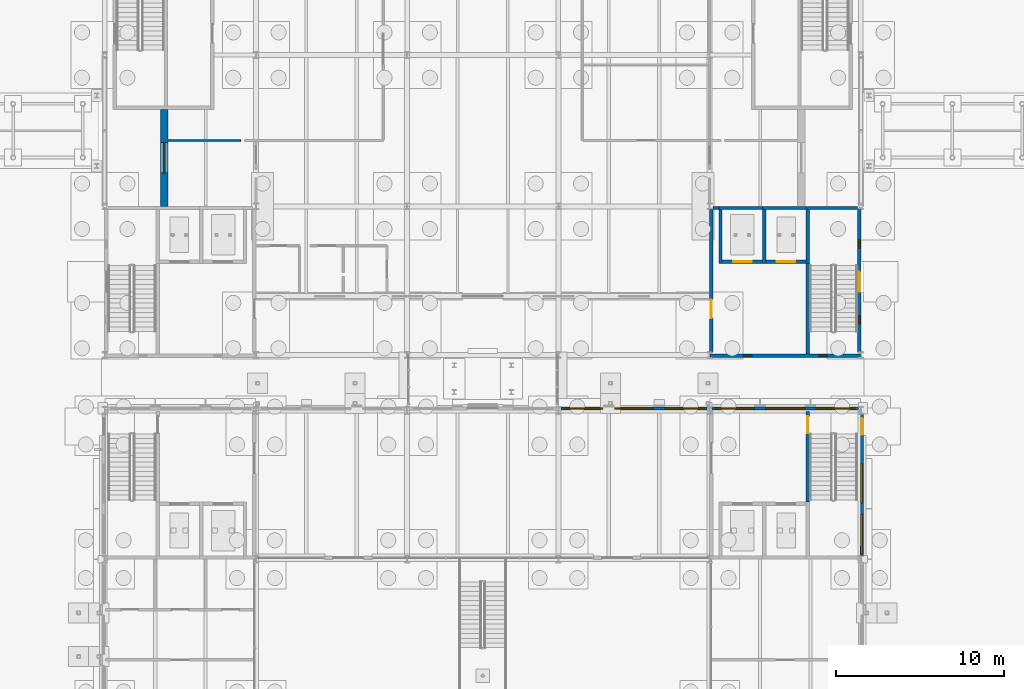
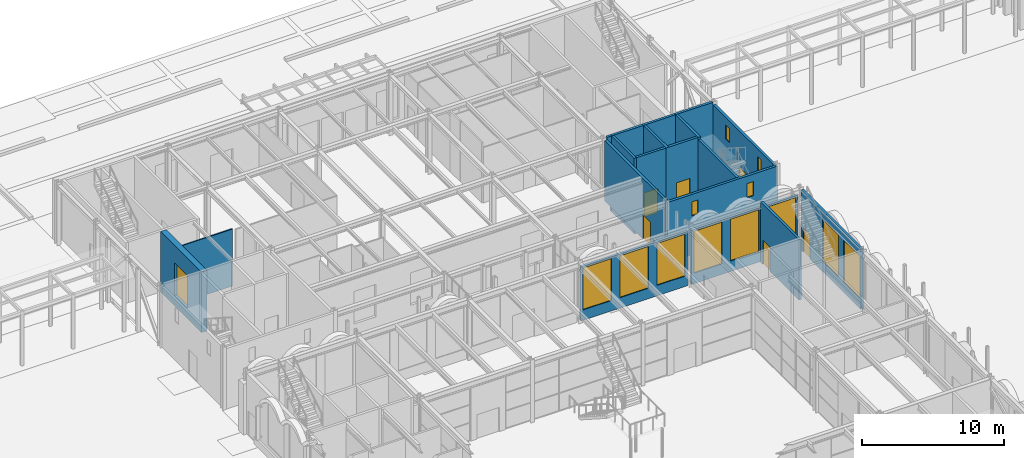
# One storey, part 79 of 126: 19 walls, 13 windows, 6 doors, 19 openings.
"""IFC4 building model written with IfcOpenShell, lengths in metres."""

from ifc_helpers import new_model, si_unit, direction, frame, frame_2d, origin, place, context, subcontext, project, spatial, rectangle, extrude, material, layer, layer_set, type_object, element, fill, save


model = new_model("IFC4")

# Units and contexts
model_context = context("Model", 3, precision=1e-05, world=origin(), true_north=direction((0.0, 1.0)))
body_context = subcontext(model_context, "Body", "Model", "MODEL_VIEW")
ifc_project = project(units=[si_unit("LENGTHUNIT", "METRE"), si_unit("AREAUNIT", "SQUARE_METRE"), si_unit("VOLUMEUNIT", "CUBIC_METRE"), si_unit("PLANEANGLEUNIT", "RADIAN"), si_unit("MASSUNIT", "GRAM", prefix="KILO")], contexts=[model_context])

# Site, building, storey
site_placement = place(None, origin())
site = spatial("IfcSite", under=ifc_project, at=site_placement, CompositionType="ELEMENT")
building_placement = place(site_placement, origin())
building = spatial("IfcBuilding", under=site, at=building_placement, Name="Kallimachos Central Library", CompositionType="ELEMENT")
storey_placement = place(building_placement, origin())
storey = spatial("IfcBuildingStorey", under=building, at=storey_placement, Name="L00", CompositionType="ELEMENT", Elevation=0.0)

# Wall, opening, window
ifc_material_1 = material(Name="Bronze-anodised aluminium louvres on blockwork", Category="masonry")
ifc_layer_1 = layer(ifc_material_1, 0.449951171875)
ifc_layer_set_1 = layer_set([ifc_layer_1], Name="Bronze louvre enclosure wall 450")
wall_type_1 = type_object("IfcWallType", Name="Bronze louvre enclosure wall 450", PredefinedType="SOLIDWALL", material=ifc_layer_set_1)
wall_1_placement = place(storey_placement, frame((69.050048828125, 96.0, 0.0), z_axis=(0.0, 0.0, 1.0), x_axis=(0.0, 1.0, 0.0)))
wall_1 = element("IfcWall", 1, at=wall_1_placement, inside=storey, type_object=wall_type_1, Name="Louvre enclosure wall W L00", PredefinedType="SOLIDWALL", context=body_context, shape_type="SweptSolid", body=[
    extrude(rectangle(XDim=5.77490234375, YDim=0.449951171875, at=frame_2d((2.887451171875, 0.0))), origin(), (0.0, 0.0, 1.0), 5.199951171875),
])
opening_1_placement = place(wall_1_placement, frame((1.987548828125, 0.0, 0.89990234375)))
opening_1 = element("IfcOpeningElement", 2, at=opening_1_placement, cuts=wall_1, Name="Opening W34", PredefinedType="OPENING", context=body_context, shape_type="SweptSolid", body=[
    extrude(rectangle(XDim=1.800048828125, YDim=2.800048828125, at=frame_2d((0.89990234375, 1.39990234375))), frame((0.0, 0.23486328125, 0.0), z_axis=(0.0, -1.0, 0.0), x_axis=(1.0, 0.0, 0.0)), (0.0, 0.0, 1.0), 0.469970703125),
])
ifc_material_2 = material(Name="Laminated glass in bronze-anodised aluminium frame", Category="aluminium")
window_type_1 = type_object("IfcWindowType", Name="Base window 1800x2800", PartitioningType="SINGLE_PANEL", PredefinedType="WINDOW", material=ifc_material_2)
window_1_placement = place(opening_1_placement, origin())
window_1 = element("IfcWindow", 3, at=window_1_placement, inside=storey, type_object=window_type_1, Name="V1-WIN-L00-005", OverallHeight=2.800048828125, OverallWidth=1.800048828125, PartitioningType="SINGLE_PANEL", PredefinedType="WINDOW", context=body_context, shape_type="SweptSolid", body=[
    extrude(rectangle(XDim=1.800048828125, YDim=2.800048828125, at=frame_2d((0.89990234375, 1.39990234375))), frame((0.0, 0.030029296875, 0.0), z_axis=(0.0, -1.0, 0.0), x_axis=(1.0, 0.0, 0.0)), (0.0, 0.0, 1.0), 0.06005859375),
])
fill(opening_1, window_1)

# Wall, opening, door
ifc_material_3 = material(Name="Concrete C30/37", Category="concrete")
ifc_layer_2 = layer(ifc_material_3, 0.199951171875)
ifc_layer_set_2 = layer_set([ifc_layer_2], Name="Core wall 200")
wall_type_2 = type_object("IfcWallType", Name="Core wall 200", PredefinedType="SOLIDWALL", material=ifc_layer_set_2)
wall_2_placement = place(storey_placement, frame((101.60009765625, 87.33837890625, 0.0), z_axis=(0.0, 0.0, 1.0), x_axis=(0.0, 1.0, 0.0)))
wall_2 = element("IfcWall", 4, at=wall_2_placement, inside=storey, type_object=wall_type_2, Name="Core wall V1-SE W", PredefinedType="SOLIDWALL", context=body_context, shape_type="SweptSolid", body=[
    extrude(rectangle(XDim=8.47314453125, YDim=0.199951171875, at=frame_2d((4.236572265625, 0.0))), origin(), (0.0, 0.0, 1.0), 5.199951171875),
])
opening_2_placement = place(wall_2_placement, frame((2.011474609375, 0.0, 0.0)))
opening_2 = element("IfcOpeningElement", 5, at=opening_2_placement, cuts=wall_2, Name="Opening D225", PredefinedType="OPENING", context=body_context, shape_type="SweptSolid", body=[
    extrude(rectangle(XDim=1.10009765625, YDim=2.10009765625, at=frame_2d((0.550048828125, 1.050048828125))), frame((0.0, 0.10986328125, 0.0), z_axis=(0.0, -1.0, 0.0), x_axis=(1.0, 0.0, 0.0)), (0.0, 0.0, 1.0), 0.219970703125),
])
ifc_material_4 = material(Name="Steel fire door", Category="steel")
door_type_1 = type_object("IfcDoorType", Name="Fire door EI2 90 1100 x 2100", OperationType="NOTDEFINED", PredefinedType="DOOR", material=ifc_material_4)
door_1_placement = place(opening_2_placement, frame((1.10009765625, 0.0, 0.0), z_axis=(0.0, 0.0, 1.0), x_axis=(-1.0, 0.0, 0.0)))
door_1 = element("IfcDoor", 6, at=door_1_placement, inside=storey, type_object=door_type_1, Name="V1-DOR-L00-013", OperationType="SINGLE_SWING_LEFT", OverallHeight=2.10009765625, OverallWidth=1.10009765625, PredefinedType="DOOR", context=body_context, shape_type="SweptSolid", body=[
    extrude(rectangle(XDim=1.10009765625, YDim=2.10009765625, at=frame_2d((0.550048828125, 1.050048828125))), frame((0.0, 0.02490234375, 0.0), z_axis=(0.0, -1.0, 0.0), x_axis=(1.0, 0.0, 0.0)), (0.0, 0.0, 1.0), 0.050048828125),
])
fill(opening_2, door_1)

# Walls
wall_3_placement = place(storey_placement, frame((101.699951171875, 95.89990234375, 0.0), z_axis=(0.0, 0.0, 1.0), x_axis=(1.0, 0.0, 0.0)))
element("IfcWall", 7, at=wall_3_placement, inside=storey, type_object=wall_type_2, Name="Core wall V1-SE N", PredefinedType="SOLIDWALL", context=body_context, shape_type="SweptSolid", body=[
    extrude(rectangle(XDim=0.35009765625, YDim=0.199951171875, at=frame_2d((0.175048828125, 0.0))), origin(), (0.0, 0.0, 1.0), 5.39990234375),
])
wall_4_placement = place(storey_placement, frame((107.25, 95.89990234375, 0.0), z_axis=(0.0, 0.0, 1.0), x_axis=(1.0, 0.0, 0.0)))
element("IfcWall", 8, at=wall_4_placement, inside=storey, type_object=wall_type_2, Name="Core wall V1-SE N", PredefinedType="SOLIDWALL", context=body_context, shape_type="SweptSolid", body=[
    extrude(rectangle(XDim=3.050048828125, YDim=0.199951171875, at=frame_2d((1.52490234375, 0.0))), origin(), (0.0, 0.0, 1.0), 5.39990234375),
])
wall_5_placement = place(storey_placement, frame((107.35009765625, 87.199951171875, 0.0), z_axis=(0.0, 0.0, 1.0), x_axis=(0.0, 1.0, 0.0)))
element("IfcWall", 9, at=wall_5_placement, inside=storey, type_object=wall_type_2, Name="Stair wall V1-SE", PredefinedType="SOLIDWALL", context=body_context, shape_type="SweptSolid", body=[
    extrude(rectangle(XDim=5.400146484375, YDim=0.199951171875, at=frame_2d((2.7001953125, 0.0))), origin(), (0.0, 0.0, 1.0), 5.199951171875),
])
ifc_material_5 = material(Name="Concrete C30/37", Category="concrete")
ifc_layer_3 = layer(ifc_material_5, 0.199951171875)
ifc_layer_set_3 = layer_set([ifc_layer_3], Name="Lift shaft wall 200")
wall_type_3 = type_object("IfcWallType", Name="Lift shaft wall 200", PredefinedType="SOLIDWALL", material=ifc_layer_set_3)
wall_6_placement = place(storey_placement, frame((104.64990234375, 95.89990234375, -1.10009765625), z_axis=(0.0, 0.0, 1.0), x_axis=(1.0, 0.0, 0.0)))
element("IfcWall", 10, at=wall_6_placement, inside=storey, type_object=wall_type_3, Name="V1-WAL-L00-008", PredefinedType="SOLIDWALL", context=body_context, shape_type="SweptSolid", body=[
    extrude(rectangle(XDim=2.60009765625, YDim=0.199951171875, at=frame_2d((1.300048828125, 0.0))), origin(), (0.0, 0.0, 1.0), 6.5),
])

# Wall, opening, door
wall_7_placement = place(storey_placement, frame((104.64990234375, 92.699951171875, -1.10009765625), z_axis=(0.0, 0.0, 1.0), x_axis=(1.0, 0.0, 0.0)))
wall_7 = element("IfcWall", 11, at=wall_7_placement, inside=storey, type_object=wall_type_3, Name="V1-WAL-L00-009", PredefinedType="SOLIDWALL", context=body_context, shape_type="SweptSolid", body=[
    extrude(rectangle(XDim=2.60009765625, YDim=0.199951171875, at=frame_2d((1.300048828125, 0.0))), origin(), (0.0, 0.0, 1.0), 6.5),
])
opening_3_placement = place(wall_7_placement, frame((0.85009765625, 0.0, 1.10009765625)))
opening_3 = element("IfcOpeningElement", 12, at=opening_3_placement, cuts=wall_7, Name="Opening LD1100", PredefinedType="OPENING", context=body_context, shape_type="SweptSolid", body=[
    extrude(rectangle(XDim=1.10009765625, YDim=2.10009765625, at=frame_2d((0.550048828125, 1.050048828125))), frame((0.0, 0.10986328125, 0.0), z_axis=(0.0, -1.0, 0.0), x_axis=(1.0, 0.0, 0.0)), (0.0, 0.0, 1.0), 0.219970703125),
])
ifc_material_6 = material(Name="Stainless steel", Category="steel")
door_type_2 = type_object("IfcDoorType", Name="Lift landing door 1100 x 2100", OperationType="SLIDING_TO_LEFT", PredefinedType="DOOR", material=ifc_material_6)
door_2_placement = place(opening_3_placement, origin())
door_2 = element("IfcDoor", 13, at=door_2_placement, inside=storey, type_object=door_type_2, Name="LF3 landing door L00", OperationType="SLIDING_TO_LEFT", OverallHeight=2.10009765625, OverallWidth=1.10009765625, PredefinedType="DOOR", context=body_context, shape_type="SweptSolid", body=[
    extrude(rectangle(XDim=1.10009765625, YDim=2.10009765625, at=frame_2d((0.550048828125, 1.050048828125))), frame((0.0, 0.02490234375, 0.0), z_axis=(0.0, -1.0, 0.0), x_axis=(1.0, 0.0, 0.0)), (0.0, 0.0, 1.0), 0.050048828125),
])
fill(opening_3, door_2)

# Walls
for number, where, z_axis, x_axis, name in (
    (14, (104.75, 92.60009765625, -1.10009765625), (0.0, 0.0, 1.0), (0.0, 1.0, 0.0), "V1-WAL-L00-010"),
    (15, (107.35009765625, 92.60009765625, -1.10009765625), (0.0, 0.0, 1.0), (0.0, 1.0, 0.0), "V1-WAL-L00-011"),
):
    element("IfcWall", number, at=place(storey_placement, frame(where, z_axis=z_axis, x_axis=x_axis)), inside=storey, type_object=wall_type_3, Name=name, PredefinedType="SOLIDWALL", context=body_context, shape_type="SweptSolid", body=[
        extrude(rectangle(XDim=3.39990234375, YDim=0.199951171875, at=frame_2d((1.699951171875, 0.0))), origin(), (0.0, 0.0, 1.0), 6.5),
    ])
wall_8_placement = place(storey_placement, frame((102.050048828125, 95.89990234375, -1.10009765625), z_axis=(0.0, 0.0, 1.0), x_axis=(1.0, 0.0, 0.0)))
element("IfcWall", 16, at=wall_8_placement, inside=storey, type_object=wall_type_3, Name="V1-WAL-L00-012", PredefinedType="SOLIDWALL", context=body_context, shape_type="SweptSolid", body=[
    extrude(rectangle(XDim=2.599853515625, YDim=0.199951171875, at=frame_2d((1.2998046875, 0.0))), origin(), (0.0, 0.0, 1.0), 6.5),
])

# Wall, opening, door
wall_9_placement = place(storey_placement, frame((102.25, 92.699951171875, -1.10009765625), z_axis=(0.0, 0.0, 1.0), x_axis=(1.0, 0.0, 0.0)))
wall_9 = element("IfcWall", 17, at=wall_9_placement, inside=storey, type_object=wall_type_3, Name="V1-WAL-L00-013", PredefinedType="SOLIDWALL", context=body_context, shape_type="SweptSolid", body=[
    extrude(rectangle(XDim=2.39990234375, YDim=0.199951171875, at=frame_2d((1.199951171875, 0.0))), origin(), (0.0, 0.0, 1.0), 6.5),
])
opening_4_placement = place(wall_9_placement, frame((0.64990234375, 0.0, 1.10009765625)))
opening_4 = element("IfcOpeningElement", 18, at=opening_4_placement, cuts=wall_9, Name="Opening LD1100", PredefinedType="OPENING", context=body_context, shape_type="SweptSolid", body=[
    extrude(rectangle(XDim=1.10009765625, YDim=2.10009765625, at=frame_2d((0.550048828125, 1.050048828125))), frame((0.0, 0.10986328125, 0.0), z_axis=(0.0, -1.0, 0.0), x_axis=(1.0, 0.0, 0.0)), (0.0, 0.0, 1.0), 0.219970703125),
])
door_3_placement = place(opening_4_placement, origin())
door_3 = element("IfcDoor", 19, at=door_3_placement, inside=storey, type_object=door_type_2, Name="LF4 landing door L00", OperationType="SLIDING_TO_LEFT", OverallHeight=2.10009765625, OverallWidth=1.10009765625, PredefinedType="DOOR", context=body_context, shape_type="SweptSolid", body=[
    extrude(rectangle(XDim=1.10009765625, YDim=2.10009765625, at=frame_2d((0.550048828125, 1.050048828125))), frame((0.0, 0.02490234375, 0.0), z_axis=(0.0, -1.0, 0.0), x_axis=(1.0, 0.0, 0.0)), (0.0, 0.0, 1.0), 0.050048828125),
])
fill(opening_4, door_3)

# Walls
wall_10_placement = place(storey_placement, frame((102.14990234375, 92.60009765625, -1.10009765625), z_axis=(0.0, 0.0, 1.0), x_axis=(0.0, 1.0, 0.0)))
element("IfcWall", 20, at=wall_10_placement, inside=storey, type_object=wall_type_3, Name="V1-WAL-L00-014", PredefinedType="SOLIDWALL", context=body_context, shape_type="SweptSolid", body=[
    extrude(rectangle(XDim=3.39990234375, YDim=0.199951171875, at=frame_2d((1.699951171875, 0.0))), origin(), (0.0, 0.0, 1.0), 6.5),
])
ifc_material_7 = material(Name="Plasterboard on steel studs", Category="steel")
ifc_layer_4 = layer(ifc_material_7, 0.10009765625)
ifc_layer_set_4 = layer_set([ifc_layer_4], Name="Partition 100")
wall_type_4 = type_object("IfcWallType", Name="Partition 100", PredefinedType="PARTITIONING", material=ifc_layer_set_4)
wall_11_placement = place(storey_placement, frame((73.5888671875, 99.91552734375, 0.0), z_axis=(0.0, 0.0, 1.0), x_axis=(-1.0, 0.0, 0.0)))
element("IfcWall", 21, at=wall_11_placement, inside=storey, type_object=wall_type_4, Name="Partition", PredefinedType="PARTITIONING", context=body_context, shape_type="SweptSolid", body=[
    extrude(rectangle(XDim=4.31396484375, YDim=0.10009765625, at=frame_2d((2.156982421875, 0.0))), origin(), (0.0, 0.0, 1.0), 4.89990234375),
])

# Wall, opening, door
ifc_material_8 = material(Name="Concrete C35/45", Category="concrete")
ifc_layer_5 = layer(ifc_material_8, 0.199951171875)
ifc_layer_set_5 = layer_set([ifc_layer_5], Name="Shear core wall 200, internal")
wall_type_5 = type_object("IfcWallType", Name="Shear core wall 200, internal", PredefinedType="SHEAR", material=ifc_layer_set_5)
wall_12_placement = place(storey_placement, frame((107.35009765625, 78.39990234375, 0.0), z_axis=(0.0, 0.0, 1.0), x_axis=(0.0, 1.0, 0.0)))
wall_12 = element("IfcWall", 22, at=wall_12_placement, inside=storey, type_object=wall_type_5, Name="L00 core wall V4-NE M", PredefinedType="SHEAR", context=body_context, shape_type="SweptSolid", body=[
    extrude(rectangle(XDim=5.400146484375, YDim=0.199951171875, at=frame_2d((2.7001953125, 0.0))), origin(), (0.0, 0.0, 1.0), 5.199951171875),
])
opening_5_placement = place(wall_12_placement, frame((4.10009765625, 0.0, 0.0)))
opening_5 = element("IfcOpeningElement", 23, at=opening_5_placement, cuts=wall_12, Name="Opening D162", PredefinedType="OPENING", context=body_context, shape_type="SweptSolid", body=[
    extrude(rectangle(XDim=1.0, YDim=2.10009765625, at=frame_2d((0.5, 1.050048828125))), frame((0.0, 0.10986328125, 0.0), z_axis=(0.0, -1.0, 0.0), x_axis=(1.0, 0.0, 0.0)), (0.0, 0.0, 1.0), 0.219970703125),
])
ifc_material_9 = material(Name="Timber", Category="wood")
door_type_3 = type_object("IfcDoorType", Name="Single leaf door 1000 x 2100, EI2 90", OperationType="NOTDEFINED", PredefinedType="DOOR", material=ifc_material_9)
door_4_placement = place(opening_5_placement, frame((1.0, 0.0, 0.0), z_axis=(0.0, 0.0, 1.0), x_axis=(-1.0, 0.0, 0.0)))
door_4 = element("IfcDoor", 24, at=door_4_placement, inside=storey, type_object=door_type_3, Name="L00 core door V4-NE", OperationType="SINGLE_SWING_LEFT", OverallHeight=2.10009765625, OverallWidth=1.0, PredefinedType="DOOR", context=body_context, shape_type="SweptSolid", body=[
    extrude(rectangle(XDim=1.0, YDim=2.10009765625, at=frame_2d((0.5, 1.050048828125))), frame((0.0, 0.02490234375, 0.0), z_axis=(0.0, -1.0, 0.0), x_axis=(1.0, 0.0, 0.0)), (0.0, 0.0, 1.0), 0.050048828125),
])
fill(opening_5, door_4)

# Wall, openings, door, windows
ifc_material_10 = material(Name="Concrete C30/37", Category="concrete")
ifc_layer_6 = layer(ifc_material_10, 0.199951171875)
ifc_layer_set_6 = layer_set([ifc_layer_6], Name="Stone-clad core wall 200")
wall_type_6 = type_object("IfcWallType", Name="Stone-clad core wall 200", PredefinedType="SOLIDWALL", material=ifc_layer_set_6)
wall_13_placement = place(storey_placement, frame((110.39990234375, 87.33837890625, 0.0), z_axis=(0.0, 0.0, 1.0), x_axis=(0.0, 1.0, 0.0)))
wall_13 = element("IfcWall", 25, at=wall_13_placement, inside=storey, type_object=wall_type_6, Name="Core wall V1-SE E", PredefinedType="SOLIDWALL", context=body_context, shape_type="SweptSolid", body=[
    extrude(rectangle(XDim=8.47314453125, YDim=0.199951171875, at=frame_2d((4.236572265625, 0.0))), origin(), (0.0, 0.0, 1.0), 5.199951171875),
])
opening_6_placement = place(wall_13_placement, frame((1.66162109375, 0.0, 3.35009765625)))
opening_6 = element("IfcOpeningElement", 26, at=opening_6_placement, cuts=wall_13, Name="Opening W112", PredefinedType="OPENING", context=body_context, shape_type="SweptSolid", body=[
    extrude(rectangle(XDim=0.5, YDim=1.199951171875, at=frame_2d((0.25, 0.60009765625))), frame((0.0, 0.10986328125, 0.0), z_axis=(0.0, -1.0, 0.0), x_axis=(1.0, 0.0, 0.0)), (0.0, 0.0, 1.0), 0.219970703125),
])
opening_7_placement = place(wall_13_placement, frame((6.16162109375, 0.0, 3.35009765625)))
opening_7 = element("IfcOpeningElement", 27, at=opening_7_placement, cuts=wall_13, Name="Opening W113", PredefinedType="OPENING", context=body_context, shape_type="SweptSolid", body=[
    extrude(rectangle(XDim=0.5, YDim=1.199951171875, at=frame_2d((0.25, 0.60009765625))), frame((0.0, 0.10986328125, 0.0), z_axis=(0.0, -1.0, 0.0), x_axis=(1.0, 0.0, 0.0)), (0.0, 0.0, 1.0), 0.219970703125),
])
opening_8_placement = place(wall_13_placement, frame((3.5615234375, 0.0, 0.0)))
opening_8 = element("IfcOpeningElement", 28, at=opening_8_placement, cuts=wall_13, Name="Opening D226", PredefinedType="OPENING", context=body_context, shape_type="SweptSolid", body=[
    extrude(rectangle(XDim=1.199951171875, YDim=2.10009765625, at=frame_2d((0.60009765625, 1.050048828125))), frame((0.0, 0.10986328125, 0.0), z_axis=(0.0, -1.0, 0.0), x_axis=(1.0, 0.0, 0.0)), (0.0, 0.0, 1.0), 0.219970703125),
])
ifc_material_11 = material(Name="Steel fire door leaf", Category="steel")
door_type_4 = type_object("IfcDoorType", Name="Exit door EI2 90 1200 x 2100", OperationType="NOTDEFINED", PredefinedType="DOOR", material=ifc_material_11)
door_5_placement = place(opening_8_placement, frame((1.199951171875, 0.0, 0.0), z_axis=(0.0, 0.0, 1.0), x_axis=(-1.0, 0.0, 0.0)))
door_5 = element("IfcDoor", 29, at=door_5_placement, inside=storey, type_object=door_type_4, Name="Exit Door", OperationType="SINGLE_SWING_LEFT", OverallHeight=2.10009765625, OverallWidth=1.199951171875, PredefinedType="DOOR", context=body_context, shape_type="SweptSolid", body=[
    extrude(rectangle(XDim=1.199951171875, YDim=2.10009765625, at=frame_2d((0.60009765625, 1.050048828125))), frame((0.0, 0.02490234375, 0.0), z_axis=(0.0, -1.0, 0.0), x_axis=(1.0, 0.0, 0.0)), (0.0, 0.0, 1.0), 0.050048828125),
])
fill(opening_8, door_5)
ifc_material_12 = material(Name="Laminated glass in bronze-anodised aluminium frame", Category="aluminium")
window_type_2 = type_object("IfcWindowType", Name="Stair slot window 500x1200", PartitioningType="SINGLE_PANEL", PredefinedType="WINDOW", material=ifc_material_12)
window_2_placement = place(opening_6_placement, origin())
window_2 = element("IfcWindow", 30, at=window_2_placement, inside=storey, type_object=window_type_2, Name="V1-WIN-L00-017", OverallHeight=1.199951171875, OverallWidth=0.5, PartitioningType="SINGLE_PANEL", PredefinedType="WINDOW", context=body_context, shape_type="SweptSolid", body=[
    extrude(rectangle(XDim=0.5, YDim=1.199951171875, at=frame_2d((0.25, 0.60009765625))), frame((0.0, 0.030029296875, 0.0), z_axis=(0.0, -1.0, 0.0), x_axis=(1.0, 0.0, 0.0)), (0.0, 0.0, 1.0), 0.06005859375),
])
fill(opening_6, window_2)
window_3_placement = place(opening_7_placement, origin())
window_3 = element("IfcWindow", 31, at=window_3_placement, inside=storey, type_object=window_type_2, Name="V1-WIN-L00-018", OverallHeight=1.199951171875, OverallWidth=0.5, PartitioningType="SINGLE_PANEL", PredefinedType="WINDOW", context=body_context, shape_type="SweptSolid", body=[
    extrude(rectangle(XDim=0.5, YDim=1.199951171875, at=frame_2d((0.25, 0.60009765625))), frame((0.0, 0.030029296875, 0.0), z_axis=(0.0, -1.0, 0.0), x_axis=(1.0, 0.0, 0.0)), (0.0, 0.0, 1.0), 0.06005859375),
])
fill(opening_7, window_3)

# Wall, openings, windows
wall_14_placement = place(storey_placement, frame((101.510986328125, 87.10009765625, 0.0), z_axis=(0.0, 0.0, 1.0), x_axis=(1.0, 0.0, 0.0)))
wall_14 = element("IfcWall", 32, at=wall_14_placement, inside=storey, type_object=wall_type_6, Name="Core wall V1-SE S", PredefinedType="SOLIDWALL", context=body_context, shape_type="SweptSolid", body=[
    extrude(rectangle(XDim=8.97802734375, YDim=0.199951171875, at=frame_2d((4.489013671875, 0.0))), origin(), (0.0, 0.0, 1.0), 5.199951171875),
])
opening_9_placement = place(wall_14_placement, frame((1.989013671875, 0.0, 3.35009765625)))
opening_9 = element("IfcOpeningElement", 33, at=opening_9_placement, cuts=wall_14, Name="Opening W114", PredefinedType="OPENING", context=body_context, shape_type="SweptSolid", body=[
    extrude(rectangle(XDim=0.5, YDim=1.199951171875, at=frame_2d((0.25, 0.60009765625))), frame((0.0, 0.10986328125, 0.0), z_axis=(0.0, -1.0, 0.0), x_axis=(1.0, 0.0, 0.0)), (0.0, 0.0, 1.0), 0.219970703125),
])
opening_10_placement = place(wall_14_placement, frame((6.489013671875, 0.0, 3.35009765625)))
opening_10 = element("IfcOpeningElement", 34, at=opening_10_placement, cuts=wall_14, Name="Opening W115", PredefinedType="OPENING", context=body_context, shape_type="SweptSolid", body=[
    extrude(rectangle(XDim=0.5, YDim=1.199951171875, at=frame_2d((0.25, 0.60009765625))), frame((0.0, 0.10986328125, 0.0), z_axis=(0.0, -1.0, 0.0), x_axis=(1.0, 0.0, 0.0)), (0.0, 0.0, 1.0), 0.219970703125),
])
window_4_placement = place(opening_9_placement, origin())
window_4 = element("IfcWindow", 35, at=window_4_placement, inside=storey, type_object=window_type_2, Name="V1-WIN-L00-019", OverallHeight=1.199951171875, OverallWidth=0.5, PartitioningType="SINGLE_PANEL", PredefinedType="WINDOW", context=body_context, shape_type="SweptSolid", body=[
    extrude(rectangle(XDim=0.5, YDim=1.199951171875, at=frame_2d((0.25, 0.60009765625))), frame((0.0, 0.030029296875, 0.0), z_axis=(0.0, -1.0, 0.0), x_axis=(1.0, 0.0, 0.0)), (0.0, 0.0, 1.0), 0.06005859375),
])
fill(opening_9, window_4)
window_5_placement = place(opening_10_placement, origin())
window_5 = element("IfcWindow", 36, at=window_5_placement, inside=storey, type_object=window_type_2, Name="V1-WIN-L00-020", OverallHeight=1.199951171875, OverallWidth=0.5, PartitioningType="SINGLE_PANEL", PredefinedType="WINDOW", context=body_context, shape_type="SweptSolid", body=[
    extrude(rectangle(XDim=0.5, YDim=1.199951171875, at=frame_2d((0.25, 0.60009765625))), frame((0.0, 0.030029296875, 0.0), z_axis=(0.0, -1.0, 0.0), x_axis=(1.0, 0.0, 0.0)), (0.0, 0.0, 1.0), 0.06005859375),
])
fill(opening_10, window_5)

ifc_material_13 = material(Name="Brick masonry with Pentelic marble cladding", Category="masonry")
ifc_layer_7 = layer(ifc_material_13, 0.199951171875)
ifc_layer_set_7 = layer_set([ifc_layer_7], Name="Stone-clad masonry wall 200")
wall_type_7 = type_object("IfcWallType", Name="Stone-clad masonry wall 200", PredefinedType="SOLIDWALL", material=ifc_layer_set_7)
wall_15_placement = place(storey_placement, frame((92.653564453125, 83.966064453125, 0.0), z_axis=(0.0, 0.0, 1.0), x_axis=(1.0, 0.0, 0.0)))
wall_15 = element("IfcWall", 37, at=wall_15_placement, inside=storey, type_object=wall_type_7, Name="V4-WAL-L00-023", PredefinedType="SOLIDWALL", context=body_context, shape_type="SweptSolid", body=[
    extrude(rectangle(XDim=8.69287109375, YDim=0.199951171875, at=frame_2d((4.346435546875, 0.0))), origin(), (0.0, 0.0, 1.0), 4.64990234375),
])
opening_11_placement = place(wall_15_placement, frame((0.196533203125, 0.0, 0.89990234375)))
opening_11 = element("IfcOpeningElement", 38, at=opening_11_placement, cuts=wall_15, Name="Opening WN160", PredefinedType="OPENING", context=body_context, shape_type="SweptSolid", body=[
    extrude(rectangle(XDim=2.300048828125, YDim=3.60009765625, at=frame_2d((1.14990234375, 1.800048828125))), frame((0.0, 0.10986328125, 0.0), z_axis=(0.0, -1.0, 0.0), x_axis=(1.0, 0.0, 0.0)), (0.0, 0.0, 1.0), 0.219970703125),
])
opening_12_placement = place(wall_15_placement, frame((3.196533203125, 0.0, 0.89990234375)))
opening_12 = element("IfcOpeningElement", 39, at=opening_12_placement, cuts=wall_15, Name="Opening WN160", PredefinedType="OPENING", context=body_context, shape_type="SweptSolid", body=[
    extrude(rectangle(XDim=2.300048828125, YDim=3.60009765625, at=frame_2d((1.14990234375, 1.800048828125))), frame((0.0, 0.10986328125, 0.0), z_axis=(0.0, -1.0, 0.0), x_axis=(1.0, 0.0, 0.0)), (0.0, 0.0, 1.0), 0.219970703125),
])
opening_13_placement = place(wall_15_placement, frame((6.196533203125, 0.0, 0.89990234375)))
opening_13 = element("IfcOpeningElement", 40, at=opening_13_placement, cuts=wall_15, Name="Opening WN160", PredefinedType="OPENING", context=body_context, shape_type="SweptSolid", body=[
    extrude(rectangle(XDim=2.300048828125, YDim=3.60009765625, at=frame_2d((1.14990234375, 1.800048828125))), frame((0.0, 0.10986328125, 0.0), z_axis=(0.0, -1.0, 0.0), x_axis=(1.0, 0.0, 0.0)), (0.0, 0.0, 1.0), 0.219970703125),
])
ifc_material_14 = material(Name="Anodised aluminium and laminated glass", Category="aluminium")
window_type_3 = type_object("IfcWindowType", Name="Window 2300 x 3600", PartitioningType="DOUBLE_PANEL_VERTICAL", PredefinedType="WINDOW", material=ifc_material_14)
window_6_placement = place(opening_11_placement, origin())
window_6 = element("IfcWindow", 41, at=window_6_placement, inside=storey, type_object=window_type_3, Name="V4-WIN-L00-021", OverallHeight=3.60009765625, OverallWidth=2.300048828125, PartitioningType="SINGLE_PANEL", PredefinedType="WINDOW", context=body_context, shape_type="SweptSolid", body=[
    extrude(rectangle(XDim=2.300048828125, YDim=3.60009765625, at=frame_2d((1.14990234375, 1.800048828125))), frame((0.0, 0.030029296875, 0.0), z_axis=(0.0, -1.0, 0.0), x_axis=(1.0, 0.0, 0.0)), (0.0, 0.0, 1.0), 0.06005859375),
])
fill(opening_11, window_6)
window_7_placement = place(opening_12_placement, origin())
window_7 = element("IfcWindow", 42, at=window_7_placement, inside=storey, type_object=window_type_3, Name="V4-WIN-L00-022", OverallHeight=3.60009765625, OverallWidth=2.300048828125, PartitioningType="SINGLE_PANEL", PredefinedType="WINDOW", context=body_context, shape_type="SweptSolid", body=[
    extrude(rectangle(XDim=2.300048828125, YDim=3.60009765625, at=frame_2d((1.14990234375, 1.800048828125))), frame((0.0, 0.030029296875, 0.0), z_axis=(0.0, -1.0, 0.0), x_axis=(1.0, 0.0, 0.0)), (0.0, 0.0, 1.0), 0.06005859375),
])
fill(opening_12, window_7)
window_8_placement = place(opening_13_placement, origin())
window_8 = element("IfcWindow", 43, at=window_8_placement, inside=storey, type_object=window_type_3, Name="V4-WIN-L00-023", OverallHeight=3.60009765625, OverallWidth=2.300048828125, PartitioningType="SINGLE_PANEL", PredefinedType="WINDOW", context=body_context, shape_type="SweptSolid", body=[
    extrude(rectangle(XDim=2.300048828125, YDim=3.60009765625, at=frame_2d((1.14990234375, 1.800048828125))), frame((0.0, 0.030029296875, 0.0), z_axis=(0.0, -1.0, 0.0), x_axis=(1.0, 0.0, 0.0)), (0.0, 0.0, 1.0), 0.06005859375),
])
fill(opening_13, window_8)

ifc_material_15 = material(Name="Brick masonry with Pentelic marble cladding", Category="masonry")
ifc_layer_8 = layer(ifc_material_15, 0.199951171875)
ifc_layer_set_8 = layer_set([ifc_layer_8], Name="Stone-clad masonry wall 200, EI 120")
wall_type_8 = type_object("IfcWallType", Name="Stone-clad masonry wall 200, EI 120", PredefinedType="SOLIDWALL", material=ifc_layer_set_8)
wall_16_placement = place(storey_placement, frame((101.653564453125, 83.966064453125, 0.0), z_axis=(0.0, 0.0, 1.0), x_axis=(1.0, 0.0, 0.0)))
wall_16 = element("IfcWall", 44, at=wall_16_placement, inside=storey, type_object=wall_type_8, Name="V4-WAL-L00-024", PredefinedType="SOLIDWALL", context=body_context, shape_type="SweptSolid", body=[
    extrude(rectangle(XDim=8.69287109375, YDim=0.199951171875, at=frame_2d((4.346435546875, 0.0))), origin(), (0.0, 0.0, 1.0), 4.64990234375),
])
opening_14_placement = place(wall_16_placement, frame((0.196533203125, 0.0, 0.89990234375)))
opening_14 = element("IfcOpeningElement", 45, at=opening_14_placement, cuts=wall_16, Name="Opening WN267", PredefinedType="OPENING", context=body_context, shape_type="SweptSolid", body=[
    extrude(rectangle(XDim=2.300048828125, YDim=3.60009765625, at=frame_2d((1.14990234375, 1.800048828125))), frame((0.0, 0.10986328125, 0.0), z_axis=(0.0, -1.0, 0.0), x_axis=(1.0, 0.0, 0.0)), (0.0, 0.0, 1.0), 0.219970703125),
])
opening_15_placement = place(wall_16_placement, frame((3.196533203125, 0.0, 0.89990234375)))
opening_15 = element("IfcOpeningElement", 46, at=opening_15_placement, cuts=wall_16, Name="Opening WN267", PredefinedType="OPENING", context=body_context, shape_type="SweptSolid", body=[
    extrude(rectangle(XDim=2.300048828125, YDim=3.60009765625, at=frame_2d((1.14990234375, 1.800048828125))), frame((0.0, 0.10986328125, 0.0), z_axis=(0.0, -1.0, 0.0), x_axis=(1.0, 0.0, 0.0)), (0.0, 0.0, 1.0), 0.219970703125),
])
opening_16_placement = place(wall_16_placement, frame((6.196533203125, 0.0, 0.89990234375)))
opening_16 = element("IfcOpeningElement", 47, at=opening_16_placement, cuts=wall_16, Name="Opening WN267", PredefinedType="OPENING", context=body_context, shape_type="SweptSolid", body=[
    extrude(rectangle(XDim=2.300048828125, YDim=3.60009765625, at=frame_2d((1.14990234375, 1.800048828125))), frame((0.0, 0.10986328125, 0.0), z_axis=(0.0, -1.0, 0.0), x_axis=(1.0, 0.0, 0.0)), (0.0, 0.0, 1.0), 0.219970703125),
])
ifc_material_16 = material(Name="Anodised aluminium and laminated glass", Category="aluminium")
window_type_4 = type_object("IfcWindowType", Name="Window 2300 x 3600, EI 120", PartitioningType="DOUBLE_PANEL_VERTICAL", PredefinedType="WINDOW", material=ifc_material_16)
window_9_placement = place(opening_14_placement, origin())
window_9 = element("IfcWindow", 48, at=window_9_placement, inside=storey, type_object=window_type_4, Name="V4-WIN-L00-024", OverallHeight=3.60009765625, OverallWidth=2.300048828125, PartitioningType="SINGLE_PANEL", PredefinedType="WINDOW", context=body_context, shape_type="SweptSolid", body=[
    extrude(rectangle(XDim=2.300048828125, YDim=3.60009765625, at=frame_2d((1.14990234375, 1.800048828125))), frame((0.0, 0.030029296875, 0.0), z_axis=(0.0, -1.0, 0.0), x_axis=(1.0, 0.0, 0.0)), (0.0, 0.0, 1.0), 0.06005859375),
])
fill(opening_14, window_9)
window_10_placement = place(opening_15_placement, origin())
window_10 = element("IfcWindow", 49, at=window_10_placement, inside=storey, type_object=window_type_4, Name="V4-WIN-L00-025", OverallHeight=3.60009765625, OverallWidth=2.300048828125, PartitioningType="SINGLE_PANEL", PredefinedType="WINDOW", context=body_context, shape_type="SweptSolid", body=[
    extrude(rectangle(XDim=2.300048828125, YDim=3.60009765625, at=frame_2d((1.14990234375, 1.800048828125))), frame((0.0, 0.030029296875, 0.0), z_axis=(0.0, -1.0, 0.0), x_axis=(1.0, 0.0, 0.0)), (0.0, 0.0, 1.0), 0.06005859375),
])
fill(opening_15, window_10)
window_11_placement = place(opening_16_placement, origin())
window_11 = element("IfcWindow", 50, at=window_11_placement, inside=storey, type_object=window_type_4, Name="V4-WIN-L00-026", OverallHeight=3.60009765625, OverallWidth=2.300048828125, PartitioningType="SINGLE_PANEL", PredefinedType="WINDOW", context=body_context, shape_type="SweptSolid", body=[
    extrude(rectangle(XDim=2.300048828125, YDim=3.60009765625, at=frame_2d((1.14990234375, 1.800048828125))), frame((0.0, 0.030029296875, 0.0), z_axis=(0.0, -1.0, 0.0), x_axis=(1.0, 0.0, 0.0)), (0.0, 0.0, 1.0), 0.06005859375),
])
fill(opening_16, window_11)

# Wall, openings, door, windows
ifc_material_17 = material(Name="Brick masonry with Pentelic marble cladding", Category="masonry")
ifc_layer_9 = layer(ifc_material_17, 0.199951171875)
ifc_layer_set_9 = layer_set([ifc_layer_9], Name="Stone-clad masonry wall 200, load-bearing, EI 120")
wall_type_9 = type_object("IfcWallType", Name="Stone-clad masonry wall 200, load-bearing, EI 120", PredefinedType="SOLIDWALL", material=ifc_layer_set_9)
wall_17_placement = place(storey_placement, frame((110.553466796875, 75.216064453125, 0.0), z_axis=(0.0, 0.0, 1.0), x_axis=(0.0, 1.0, 0.0)))
wall_17 = element("IfcWall", 51, at=wall_17_placement, inside=storey, type_object=wall_type_9, Name="V4-WAL-L00-032", PredefinedType="SOLIDWALL", context=body_context, shape_type="SweptSolid", body=[
    extrude(rectangle(XDim=8.41796875, YDim=0.199951171875, at=frame_2d((4.208984375, 0.0))), origin(), (0.0, 0.0, 1.0), 5.199951171875),
])
opening_17_placement = place(wall_17_placement, frame((7.18408203125, 0.0, 0.0)))
opening_17 = element("IfcOpeningElement", 52, at=opening_17_placement, cuts=wall_17, Name="Opening D32", PredefinedType="OPENING", context=body_context, shape_type="SweptSolid", body=[
    extrude(rectangle(XDim=1.0, YDim=2.10009765625, at=frame_2d((0.5, 1.050048828125))), frame((0.0, 0.10986328125, 0.0), z_axis=(0.0, -1.0, 0.0), x_axis=(1.0, 0.0, 0.0)), (0.0, 0.0, 1.0), 0.219970703125),
])
opening_18_placement = place(wall_17_placement, frame((0.134033203125, 0.0, 0.89990234375)))
opening_18 = element("IfcOpeningElement", 53, at=opening_18_placement, cuts=wall_17, Name="Opening WN267", PredefinedType="OPENING", context=body_context, shape_type="SweptSolid", body=[
    extrude(rectangle(XDim=2.300048828125, YDim=3.60009765625, at=frame_2d((1.14990234375, 1.800048828125))), frame((0.0, 0.10986328125, 0.0), z_axis=(0.0, -1.0, 0.0), x_axis=(1.0, 0.0, 0.0)), (0.0, 0.0, 1.0), 0.219970703125),
])
opening_19_placement = place(wall_17_placement, frame((3.134033203125, 0.0, 0.89990234375)))
opening_19 = element("IfcOpeningElement", 54, at=opening_19_placement, cuts=wall_17, Name="Opening WN267", PredefinedType="OPENING", context=body_context, shape_type="SweptSolid", body=[
    extrude(rectangle(XDim=2.300048828125, YDim=3.60009765625, at=frame_2d((1.14990234375, 1.800048828125))), frame((0.0, 0.10986328125, 0.0), z_axis=(0.0, -1.0, 0.0), x_axis=(1.0, 0.0, 0.0)), (0.0, 0.0, 1.0), 0.219970703125),
])
ifc_material_18 = material(Name="Timber", Category="wood")
door_type_5 = type_object("IfcDoorType", Name="Single leaf door 1000 x 2100", OperationType="NOTDEFINED", PredefinedType="DOOR", material=ifc_material_18)
door_6_placement = place(opening_17_placement, frame((1.0, 0.0, 0.0), z_axis=(0.0, 0.0, 1.0), x_axis=(-1.0, 0.0, 0.0)))
door_6 = element("IfcDoor", 55, at=door_6_placement, inside=storey, type_object=door_type_5, Name="Exit Door", OperationType="SINGLE_SWING_RIGHT", OverallHeight=2.10009765625, OverallWidth=1.0, PredefinedType="DOOR", context=body_context, shape_type="SweptSolid", body=[
    extrude(rectangle(XDim=1.0, YDim=2.10009765625, at=frame_2d((0.5, 1.050048828125))), frame((0.0, 0.02490234375, 0.0), z_axis=(0.0, -1.0, 0.0), x_axis=(1.0, 0.0, 0.0)), (0.0, 0.0, 1.0), 0.050048828125),
])
fill(opening_17, door_6)
window_12_placement = place(opening_18_placement, origin())
window_12 = element("IfcWindow", 56, at=window_12_placement, inside=storey, type_object=window_type_4, Name="V4-WIN-L00-043", OverallHeight=3.60009765625, OverallWidth=2.300048828125, PartitioningType="SINGLE_PANEL", PredefinedType="WINDOW", context=body_context, shape_type="SweptSolid", body=[
    extrude(rectangle(XDim=2.300048828125, YDim=3.60009765625, at=frame_2d((1.14990234375, 1.800048828125))), frame((0.0, 0.030029296875, 0.0), z_axis=(0.0, -1.0, 0.0), x_axis=(1.0, 0.0, 0.0)), (0.0, 0.0, 1.0), 0.06005859375),
])
fill(opening_18, window_12)
window_13_placement = place(opening_19_placement, origin())
window_13 = element("IfcWindow", 57, at=window_13_placement, inside=storey, type_object=window_type_4, Name="V4-WIN-L00-044", OverallHeight=3.60009765625, OverallWidth=2.300048828125, PartitioningType="SINGLE_PANEL", PredefinedType="WINDOW", context=body_context, shape_type="SweptSolid", body=[
    extrude(rectangle(XDim=2.300048828125, YDim=3.60009765625, at=frame_2d((1.14990234375, 1.800048828125))), frame((0.0, 0.030029296875, 0.0), z_axis=(0.0, -1.0, 0.0), x_axis=(1.0, 0.0, 0.0)), (0.0, 0.0, 1.0), 0.06005859375),
])
fill(opening_19, window_13)

save(model, "model.ifc")
